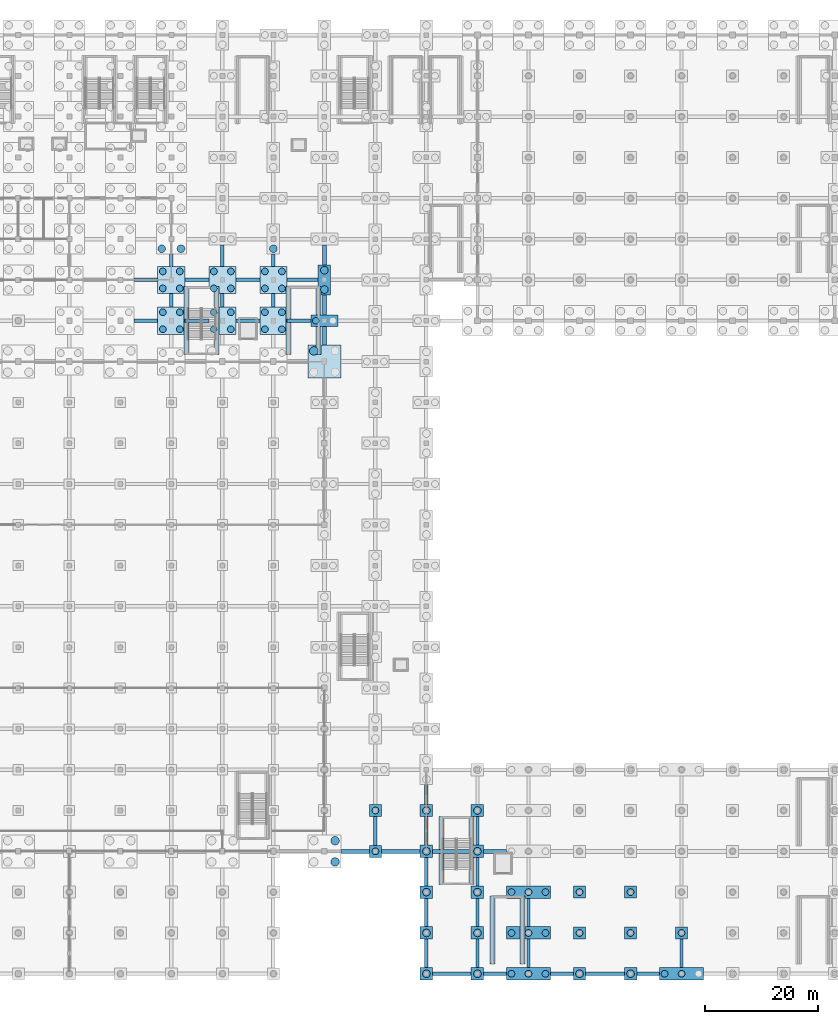
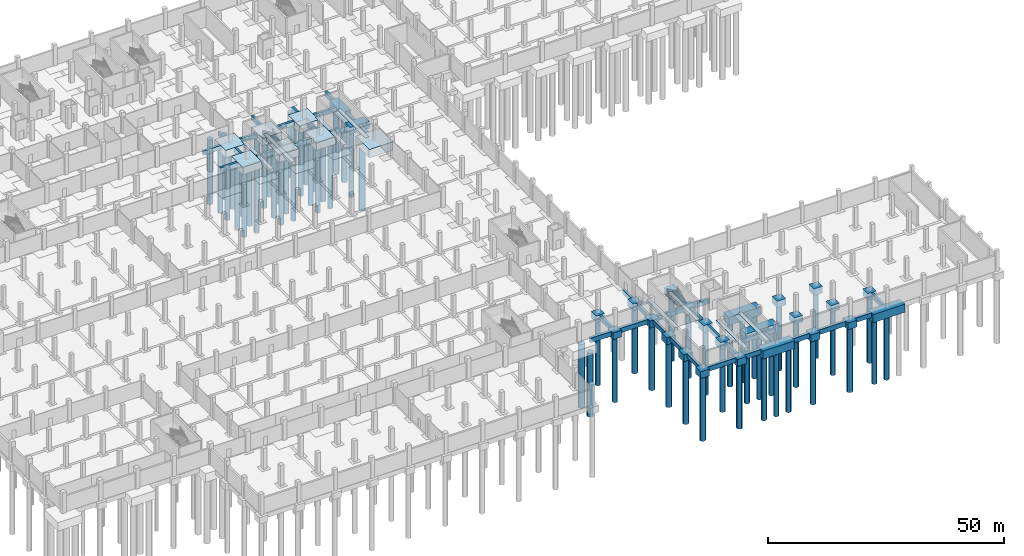
# One storey, part 6 of 39: 79 footings, 63 piles.
"""IFC4 building model written with IfcOpenShell, lengths in metres."""

from ifc_helpers import new_model, si_unit, direction, frame, origin, origin_2d, place, context, subcontext, project, spatial, rectangle, circle, extrude, material, material_profile, profile_set, type_object, element, save


model = new_model("IFC4")

# Units and contexts
model_context = context("Model", 3, precision=1e-05, world=origin(), true_north=direction((0.0, 1.0)))
body_context = subcontext(model_context, "Body", "Model", "MODEL_VIEW")
ifc_project = project(units=[si_unit("LENGTHUNIT", "METRE"), si_unit("AREAUNIT", "SQUARE_METRE"), si_unit("VOLUMEUNIT", "CUBIC_METRE"), si_unit("PLANEANGLEUNIT", "RADIAN"), si_unit("MASSUNIT", "GRAM", prefix="KILO")], contexts=[model_context])

# Site, building, storey
site_placement = place(None, origin())
site = spatial("IfcSite", under=ifc_project, at=site_placement, CompositionType="ELEMENT")
building_placement = place(site_placement, origin())
building = spatial("IfcBuilding", under=site, at=building_placement, Name="Celestram Park Convention Centre", CompositionType="ELEMENT")
storey_placement = place(building_placement, frame((0.0, 0.0, -5.39990234375)))
storey = spatial("IfcBuildingStorey", under=building, at=storey_placement, Name="B1", CompositionType="ELEMENT", Elevation=-5.39990234375)

# Footings
ifc_material_1 = material(Name="Concrete C40/50", Category="concrete")
footing_type_1 = type_object("IfcFootingType", Name="STR-CAP-PC2", PredefinedType="PILE_CAP", material=ifc_material_1)
for number, where, z_axis, x_axis, name in (
    (1, (135.0, 21.60009765625, -1.7001953125), (0.0, 0.0, 1.0), (1.0, 0.0, 0.0), "Caisson cap PC-02 at (135.0, 21.6)"),
    (2, (135.0, 28.800048828125, -1.7001953125), (0.0, 0.0, 1.0), (1.0, 0.0, 0.0), "Caisson cap PC-02 at (135.0, 28.8)"),
    (3, (171.0, 7.199951171875, -1.7001953125), (0.0, 0.0, 1.0), (1.0, 0.0, 0.0), "Caisson cap PC-02 at (171.0, 7.2)"),
    (4, (171.0, 14.39990234375, -1.7001953125), (0.0, 0.0, 1.0), (1.0, 0.0, 0.0), "Caisson cap PC-02 at (171.0, 14.4)"),
    (5, (180.0, 7.199951171875, -1.7001953125), (0.0, 0.0, 1.0), (1.0, 0.0, 0.0), "Caisson cap PC-02 at (180.0, 7.2)"),
    (6, (180.0, 14.39990234375, -1.7001953125), (0.0, 0.0, 1.0), (1.0, 0.0, 0.0), "Caisson cap PC-02 at (180.0, 14.4)"),
    (7, (189.0, 7.199951171875, -1.7001953125), (0.0, 0.0, 1.0), (1.0, 0.0, 0.0), "Caisson cap PC-02 at (189.0, 7.2)"),
):
    element("IfcFooting", number, at=place(storey_placement, frame(where, z_axis=z_axis, x_axis=x_axis)), inside=storey, type_object=footing_type_1, Name=name, PredefinedType="PILE_CAP", context=body_context, shape_type="SweptSolid", body=[
        extrude(rectangle(XDim=2.10009765625, YDim=2.10009765625, at=origin_2d()), origin(), (0.0, 0.0, 1.0), 1.699951171875),
    ])
footing_type_2 = type_object("IfcFootingType", Name="STR-CAP-PC3", PredefinedType="PILE_CAP", material=ifc_material_1)
for number, where, z_axis, x_axis, name in (
    (8, (144.0, 0.0, -1.80029296875), (0.0, 0.0, 1.0), (1.0, 0.0, 0.0), "Caisson cap PC-03 at (144.0, 0.0)"),
    (9, (144.0, 7.199951171875, -1.80029296875), (0.0, 0.0, 1.0), (1.0, 0.0, 0.0), "Caisson cap PC-03 at (144.0, 7.2)"),
    (10, (144.0, 14.39990234375, -1.80029296875), (0.0, 0.0, 1.0), (1.0, 0.0, 0.0), "Caisson cap PC-03 at (144.0, 14.4)"),
    (11, (144.0, 21.60009765625, -1.80029296875), (0.0, 0.0, 1.0), (1.0, 0.0, 0.0), "Caisson cap PC-03 at (144.0, 21.6)"),
    (12, (144.0, 28.800048828125, -1.80029296875), (0.0, 0.0, 1.0), (1.0, 0.0, 0.0), "Caisson cap PC-03 at (144.0, 28.8)"),
    (13, (153.0, 0.0, -1.80029296875), (0.0, 0.0, 1.0), (1.0, 0.0, 0.0), "Caisson cap PC-03 at (153.0, 0.0)"),
    (14, (153.0, 7.199951171875, -1.80029296875), (0.0, 0.0, 1.0), (1.0, 0.0, 0.0), "Caisson cap PC-03 at (153.0, 7.2)"),
    (15, (153.0, 14.39990234375, -1.80029296875), (0.0, 0.0, 1.0), (1.0, 0.0, 0.0), "Caisson cap PC-03 at (153.0, 14.4)"),
    (16, (153.0, 21.60009765625, -1.80029296875), (0.0, 0.0, 1.0), (1.0, 0.0, 0.0), "Caisson cap PC-03 at (153.0, 21.6)"),
    (17, (153.0, 28.800048828125, -1.80029296875), (0.0, 0.0, 1.0), (1.0, 0.0, 0.0), "Caisson cap PC-03 at (153.0, 28.8)"),
    (18, (171.0, 0.0, -1.80029296875), (0.0, 0.0, 1.0), (1.0, 0.0, 0.0), "Caisson cap PC-03 at (171.0, 0.0)"),
    (19, (180.0, 0.0, -1.80029296875), (0.0, 0.0, 1.0), (1.0, 0.0, 0.0), "Caisson cap PC-03 at (180.0, 0.0)"),
):
    element("IfcFooting", number, at=place(storey_placement, frame(where, z_axis=z_axis, x_axis=x_axis)), inside=storey, type_object=footing_type_2, Name=name, PredefinedType="PILE_CAP", context=body_context, shape_type="SweptSolid", body=[
        extrude(rectangle(XDim=2.199951171875, YDim=2.199951171875, at=origin_2d()), origin(), (0.0, 0.0, 1.0), 1.800048828125),
    ])
footing_type_3 = type_object("IfcFootingType", Name="STR-CAP-PC4", PredefinedType="PILE_CAP", material=ifc_material_1)
footing_1_placement = place(storey_placement, frame((126.0, 115.199951171875, -1.80029296875), z_axis=(0.0, 0.0, 1.0), x_axis=(1.0, 0.0, 0.0)))
element("IfcFooting", 20, at=footing_1_placement, inside=storey, type_object=footing_type_3, Name="Caisson cap PC-04 at (126.0, 115.2)", PredefinedType="PILE_CAP", context=body_context, shape_type="SweptSolid", body=[
    extrude(rectangle(XDim=4.800048828125, YDim=2.10009765625, at=origin_2d()), origin(), (0.0, 0.0, 1.0), 1.800048828125),
])
footing_type_4 = type_object("IfcFootingType", Name="STR-CAP-PC5", PredefinedType="PILE_CAP", material=ifc_material_1)
footing_2_placement = place(storey_placement, frame((126.0, 122.39990234375, -1.900146484375), z_axis=(0.0, 0.0, 1.0), x_axis=(1.0, 0.0, 0.0)))
element("IfcFooting", 21, at=footing_2_placement, inside=storey, type_object=footing_type_4, Name="Caisson cap PC-05 at (126.0, 122.4)", PredefinedType="PILE_CAP", context=body_context, shape_type="SweptSolid", body=[
    extrude(rectangle(XDim=2.199951171875, YDim=5.300048828125, at=origin_2d()), origin(), (0.0, 0.0, 1.0), 1.89990234375),
])
footing_type_5 = type_object("IfcFootingType", Name="STR-CAP-PC6", PredefinedType="PILE_CAP", material=ifc_material_1)
for number, where, z_axis, x_axis, name in (
    (22, (99.0, 115.199951171875, -1.900146484375), (0.0, 0.0, 1.0), (1.0, 0.0, 0.0), "Caisson cap PC-06 at (99.0, 115.2)"),
    (23, (99.0, 122.39990234375, -1.900146484375), (0.0, 0.0, 1.0), (1.0, 0.0, 0.0), "Caisson cap PC-06 at (99.0, 122.4)"),
    (24, (108.0, 115.199951171875, -1.900146484375), (0.0, 0.0, 1.0), (1.0, 0.0, 0.0), "Caisson cap PC-06 at (108.0, 115.2)"),
    (25, (108.0, 122.39990234375, -1.900146484375), (0.0, 0.0, 1.0), (1.0, 0.0, 0.0), "Caisson cap PC-06 at (108.0, 122.4)"),
    (26, (117.0, 115.199951171875, -1.900146484375), (0.0, 0.0, 1.0), (1.0, 0.0, 0.0), "Caisson cap PC-06 at (117.0, 115.2)"),
    (27, (117.0, 122.39990234375, -1.900146484375), (0.0, 0.0, 1.0), (1.0, 0.0, 0.0), "Caisson cap PC-06 at (117.0, 122.4)"),
):
    element("IfcFooting", number, at=place(storey_placement, frame(where, z_axis=z_axis, x_axis=x_axis)), inside=storey, type_object=footing_type_5, Name=name, PredefinedType="PILE_CAP", context=body_context, shape_type="SweptSolid", body=[
        extrude(rectangle(XDim=4.800048828125, YDim=4.800048828125, at=origin_2d()), origin(), (0.0, 0.0, 1.0), 1.89990234375),
    ])
footing_type_6 = type_object("IfcFootingType", Name="STR-CAP-PC8", PredefinedType="PILE_CAP", material=ifc_material_1)
footing_3_placement = place(storey_placement, frame((126.0, 108.0, -2.2001953125), z_axis=(0.0, 0.0, 1.0), x_axis=(1.0, 0.0, 0.0)))
element("IfcFooting", 28, at=footing_3_placement, inside=storey, type_object=footing_type_6, Name="Caisson cap PC-08 at (126.0, 108.0)", PredefinedType="PILE_CAP", context=body_context, shape_type="SweptSolid", body=[
    extrude(rectangle(XDim=5.800048828125, YDim=5.800048828125, at=origin_2d()), origin(), (0.0, 0.0, 1.0), 2.199951171875),
])
footing_type_7 = type_object("IfcFootingType", Name="STR-CAP-PC9", PredefinedType="PILE_CAP", material=ifc_material_1)
for number, where, z_axis, x_axis, name in (
    (29, (162.0, 0.0, -2.10009765625), (0.0, 0.0, 1.0), (1.0, 0.0, 0.0), "Caisson cap PC-09 at (162.0, 0.0)"),
    (30, (162.0, 7.199951171875, -2.10009765625), (0.0, 0.0, 1.0), (1.0, 0.0, 0.0), "Caisson cap PC-09 at (162.0, 7.2)"),
    (31, (162.0, 14.39990234375, -2.10009765625), (0.0, 0.0, 1.0), (1.0, 0.0, 0.0), "Caisson cap PC-09 at (162.0, 14.4)"),
    (32, (189.0, 0.0, -2.10009765625), (0.0, 0.0, 1.0), (1.0, 0.0, 0.0), "Caisson cap PC-09 at (189.0, 0.0)"),
):
    element("IfcFooting", number, at=place(storey_placement, frame(where, z_axis=z_axis, x_axis=x_axis)), inside=storey, type_object=footing_type_7, Name=name, PredefinedType="PILE_CAP", context=body_context, shape_type="SweptSolid", body=[
        extrude(rectangle(XDim=7.800048828125, YDim=2.199951171875, at=origin_2d()), origin(), (0.0, 0.0, 1.0), 2.10009765625),
    ])
ifc_material_2 = material(Name="Concrete C35/45", Category="concrete")
footing_type_8 = type_object("IfcFootingType", Name="STR-FTG-GB01", PredefinedType="FOOTING_BEAM", material=ifc_material_2)
footing_4_placement = place(storey_placement, frame((131.425048828125, 21.60009765625, -1.2001953125), z_axis=(0.0, 0.0, 1.0), x_axis=(1.0, 0.0, 0.0)))
element("IfcFooting", 33, at=footing_4_placement, inside=storey, type_object=footing_type_8, Name="Grade tie beam GB-B1-346", PredefinedType="FOOTING_BEAM", context=body_context, shape_type="SweptSolid", body=[
    extrude(rectangle(XDim=5.050048828125, YDim=0.699951171875, at=origin_2d()), origin(), (0.0, 0.0, 1.0), 1.199951171875),
])
footing_type_9 = type_object("IfcFootingType", Name="STR-FTG-GB02", PredefinedType="FOOTING_BEAM", material=ifc_material_2)
footing_5_placement = place(storey_placement, frame((126.0, 112.52490234375, -1.2001953125), z_axis=(0.0, 0.0, 1.0), x_axis=(0.0, 1.0, 0.0)))
element("IfcFooting", 34, at=footing_5_placement, inside=storey, type_object=footing_type_9, Name="Grade tie beam GB-B1-364", PredefinedType="FOOTING_BEAM", context=body_context, shape_type="SweptSolid", body=[
    extrude(rectangle(XDim=3.25, YDim=0.699951171875, at=origin_2d()), origin(), (0.0, 0.0, 1.0), 1.199951171875),
])
footing_type_10 = type_object("IfcFootingType", Name="STR-FTG-GB09", PredefinedType="FOOTING_BEAM", material=ifc_material_2)
footing_6_placement = place(storey_placement, frame((135.0, 25.199951171875, -1.10009765625), z_axis=(0.0, 0.0, 1.0), x_axis=(0.0, 1.0, 0.0)))
element("IfcFooting", 35, at=footing_6_placement, inside=storey, type_object=footing_type_10, Name="Grade tie beam GB-B1-379", PredefinedType="FOOTING_BEAM", context=body_context, shape_type="SweptSolid", body=[
    extrude(rectangle(XDim=5.10009765625, YDim=0.60009765625, at=origin_2d()), origin(), (0.0, 0.0, 1.0), 1.10009765625),
])
footing_type_11 = type_object("IfcFootingType", Name="STR-FTG-GB28", PredefinedType="FOOTING_BEAM", material=ifc_material_2)
for number, where, z_axis, x_axis, name in (
    (36, (99.0, 118.800048828125, -1.10009765625), (0.0, 0.0, 1.0), (0.0, 1.0, 0.0), "Grade tie beam GB-B1-263"),
    (37, (108.0, 118.800048828125, -1.10009765625), (0.0, 0.0, 1.0), (0.0, 1.0, 0.0), "Grade tie beam GB-B1-299"),
    (38, (117.0, 118.800048828125, -1.10009765625), (0.0, 0.0, 1.0), (0.0, 1.0, 0.0), "Grade tie beam GB-B1-334"),
):
    element("IfcFooting", number, at=place(storey_placement, frame(where, z_axis=z_axis, x_axis=x_axis)), inside=storey, type_object=footing_type_11, Name=name, PredefinedType="FOOTING_BEAM", context=body_context, shape_type="SweptSolid", body=[
        extrude(rectangle(XDim=2.39990234375, YDim=0.60009765625, at=origin_2d()), origin(), (0.0, 0.0, 1.0), 1.10009765625),
    ])
footing_type_12 = type_object("IfcFootingType", Name="STR-FTG-GB29", PredefinedType="FOOTING_BEAM", material=ifc_material_2)
for number, where, z_axis, x_axis, name in (
    (39, (94.5, 115.199951171875, -1.10009765625), (0.0, 0.0, 1.0), (1.0, 0.0, 0.0), "Grade tie beam GB-B1-233"),
    (40, (94.5, 122.39990234375, -1.10009765625), (0.0, 0.0, 1.0), (1.0, 0.0, 0.0), "Grade tie beam GB-B1-234"),
    (41, (103.5, 115.199951171875, -1.10009765625), (0.0, 0.0, 1.0), (1.0, 0.0, 0.0), "Grade tie beam GB-B1-262"),
    (42, (103.5, 122.39990234375, -1.10009765625), (0.0, 0.0, 1.0), (1.0, 0.0, 0.0), "Grade tie beam GB-B1-264"),
    (43, (112.5, 115.199951171875, -1.10009765625), (0.0, 0.0, 1.0), (1.0, 0.0, 0.0), "Grade tie beam GB-B1-298"),
    (44, (112.5, 122.39990234375, -1.10009765625), (0.0, 0.0, 1.0), (1.0, 0.0, 0.0), "Grade tie beam GB-B1-300"),
    (45, (121.5, 115.199951171875, -1.10009765625), (0.0, 0.0, 1.0), (1.0, 0.0, 0.0), "Grade tie beam GB-B1-333"),
):
    element("IfcFooting", number, at=place(storey_placement, frame(where, z_axis=z_axis, x_axis=x_axis)), inside=storey, type_object=footing_type_12, Name=name, PredefinedType="FOOTING_BEAM", context=body_context, shape_type="SweptSolid", body=[
        extrude(rectangle(XDim=4.199951171875, YDim=0.60009765625, at=origin_2d()), origin(), (0.0, 0.0, 1.0), 1.10009765625),
    ])
footing_type_13 = type_object("IfcFootingType", Name="STR-FTG-GB30", PredefinedType="FOOTING_BEAM", material=ifc_material_2)
for number, where, z_axis, x_axis, name in (
    (46, (99.0, 125.875, -1.10009765625), (0.0, 0.0, 1.0), (0.0, 1.0, 0.0), "Grade tie beam GB-B1-265"),
    (47, (117.0, 125.875, -1.10009765625), (0.0, 0.0, 1.0), (0.0, 1.0, 0.0), "Grade tie beam GB-B1-336"),
):
    element("IfcFooting", number, at=place(storey_placement, frame(where, z_axis=z_axis, x_axis=x_axis)), inside=storey, type_object=footing_type_13, Name=name, PredefinedType="FOOTING_BEAM", context=body_context, shape_type="SweptSolid", body=[
        extrude(rectangle(XDim=2.14990234375, YDim=0.60009765625, at=origin_2d()), origin(), (0.0, 0.0, 1.0), 1.10009765625),
    ])
footing_type_14 = type_object("IfcFootingType", Name="STR-FTG-GB32", PredefinedType="FOOTING_BEAM", material=ifc_material_2)
footing_7_placement = place(storey_placement, frame((108.0, 126.675048828125, -1.10009765625), z_axis=(0.0, 0.0, 1.0), x_axis=(0.0, 1.0, 0.0)))
element("IfcFooting", 48, at=footing_7_placement, inside=storey, type_object=footing_type_14, Name="Grade tie beam GB-B1-301", PredefinedType="FOOTING_BEAM", context=body_context, shape_type="SweptSolid", body=[
    extrude(rectangle(XDim=3.75, YDim=0.60009765625, at=origin_2d()), origin(), (0.0, 0.0, 1.0), 1.10009765625),
])
footing_type_15 = type_object("IfcFootingType", Name="STR-FTG-GB33", PredefinedType="FOOTING_BEAM", material=ifc_material_2)
footing_8_placement = place(storey_placement, frame((122.14990234375, 122.39990234375, -1.10009765625), z_axis=(0.0, 0.0, 1.0), x_axis=(1.0, 0.0, 0.0)))
element("IfcFooting", 49, at=footing_8_placement, inside=storey, type_object=footing_type_15, Name="Grade tie beam GB-B1-335", PredefinedType="FOOTING_BEAM", context=body_context, shape_type="SweptSolid", body=[
    extrude(rectangle(XDim=5.5, YDim=0.60009765625, at=origin_2d()), origin(), (0.0, 0.0, 1.0), 1.10009765625),
])
footing_type_16 = type_object("IfcFootingType", Name="STR-FTG-GB39", PredefinedType="FOOTING_BEAM", material=ifc_material_2)
for number, where, z_axis, x_axis, name in (
    (50, (126.0, 118.0, -1.2001953125), (0.0, 0.0, 1.0), (0.0, 1.0, 0.0), "Grade tie beam GB-B1-366"),
    (51, (126.0, 126.800048828125, -1.2001953125), (0.0, 0.0, 1.0), (0.0, 1.0, 0.0), "Grade tie beam GB-B1-368"),
):
    element("IfcFooting", number, at=place(storey_placement, frame(where, z_axis=z_axis, x_axis=x_axis)), inside=storey, type_object=footing_type_16, Name=name, PredefinedType="FOOTING_BEAM", context=body_context, shape_type="SweptSolid", body=[
        extrude(rectangle(XDim=3.5, YDim=0.699951171875, at=origin_2d()), origin(), (0.0, 0.0, 1.0), 1.199951171875),
    ])
footing_type_17 = type_object("IfcFootingType", Name="STR-FTG-GB40", PredefinedType="FOOTING_BEAM", material=ifc_material_2)
footing_9_placement = place(storey_placement, frame((139.47509765625, 21.60009765625, -1.2001953125), z_axis=(0.0, 0.0, 1.0), x_axis=(1.0, 0.0, 0.0)))
element("IfcFooting", 52, at=footing_9_placement, inside=storey, type_object=footing_type_17, Name="Grade tie beam GB-B1-378", PredefinedType="FOOTING_BEAM", context=body_context, shape_type="SweptSolid", body=[
    extrude(rectangle(XDim=6.85009765625, YDim=0.699951171875, at=origin_2d()), origin(), (0.0, 0.0, 1.0), 1.199951171875),
])
footing_type_18 = type_object("IfcFootingType", Name="STR-FTG-GB41", PredefinedType="FOOTING_BEAM", material=ifc_material_2)
for number, where, z_axis, x_axis, name in (
    (53, (148.5, 0.0, -1.2001953125), (0.0, 0.0, 1.0), (1.0, 0.0, 0.0), "Grade tie beam GB-B1-410"),
    (54, (148.5, 21.60009765625, -1.2001953125), (0.0, 0.0, 1.0), (1.0, 0.0, 0.0), "Grade tie beam GB-B1-414"),
    (55, (175.5, 0.0, -1.2001953125), (0.0, 0.0, 1.0), (1.0, 0.0, 0.0), "Grade tie beam GB-B1-484"),
):
    element("IfcFooting", number, at=place(storey_placement, frame(where, z_axis=z_axis, x_axis=x_axis)), inside=storey, type_object=footing_type_18, Name=name, PredefinedType="FOOTING_BEAM", context=body_context, shape_type="SweptSolid", body=[
        extrude(rectangle(XDim=6.800048828125, YDim=0.699951171875, at=origin_2d()), origin(), (0.0, 0.0, 1.0), 1.199951171875),
    ])
footing_type_19 = type_object("IfcFootingType", Name="STR-FTG-GB42", PredefinedType="FOOTING_BEAM", material=ifc_material_2)
for number, where, z_axis, x_axis, name in (
    (56, (144.0, 3.60009765625, -1.10009765625), (0.0, 0.0, 1.0), (0.0, 1.0, 0.0), "Grade tie beam GB-B1-411"),
    (57, (144.0, 10.800048828125, -1.10009765625), (0.0, 0.0, 1.0), (0.0, 1.0, 0.0), "Grade tie beam GB-B1-412"),
    (58, (144.0, 18.0, -1.10009765625), (0.0, 0.0, 1.0), (0.0, 1.0, 0.0), "Grade tie beam GB-B1-413"),
    (59, (144.0, 25.199951171875, -1.10009765625), (0.0, 0.0, 1.0), (0.0, 1.0, 0.0), "Grade tie beam GB-B1-415"),
    (60, (153.0, 3.60009765625, -1.10009765625), (0.0, 0.0, 1.0), (0.0, 1.0, 0.0), "Grade tie beam GB-B1-443"),
    (61, (153.0, 10.800048828125, -1.10009765625), (0.0, 0.0, 1.0), (0.0, 1.0, 0.0), "Grade tie beam GB-B1-444"),
    (62, (153.0, 18.0, -1.10009765625), (0.0, 0.0, 1.0), (0.0, 1.0, 0.0), "Grade tie beam GB-B1-445"),
    (63, (153.0, 25.199951171875, -1.10009765625), (0.0, 0.0, 1.0), (0.0, 1.0, 0.0), "Grade tie beam GB-B1-447"),
    (64, (162.0, 3.60009765625, -1.10009765625), (0.0, 0.0, 1.0), (0.0, 1.0, 0.0), "Grade tie beam GB-B1-464"),
    (65, (162.0, 10.800048828125, -1.10009765625), (0.0, 0.0, 1.0), (0.0, 1.0, 0.0), "Grade tie beam GB-B1-465"),
):
    element("IfcFooting", number, at=place(storey_placement, frame(where, z_axis=z_axis, x_axis=x_axis)), inside=storey, type_object=footing_type_19, Name=name, PredefinedType="FOOTING_BEAM", context=body_context, shape_type="SweptSolid", body=[
        extrude(rectangle(XDim=5.0, YDim=0.60009765625, at=origin_2d()), origin(), (0.0, 0.0, 1.0), 1.10009765625),
    ])
footing_type_20 = type_object("IfcFootingType", Name="STR-FTG-GB43", PredefinedType="FOOTING_BEAM", material=ifc_material_2)
footing_10_placement = place(storey_placement, frame((144.0, 31.625, -1.10009765625), z_axis=(0.0, 0.0, 1.0), x_axis=(0.0, 1.0, 0.0)))
element("IfcFooting", 66, at=footing_10_placement, inside=storey, type_object=footing_type_20, Name="Grade tie beam GB-B1-416", PredefinedType="FOOTING_BEAM", context=body_context, shape_type="SweptSolid", body=[
    extrude(rectangle(XDim=3.449951171875, YDim=0.60009765625, at=origin_2d()), origin(), (0.0, 0.0, 1.0), 1.10009765625),
])
footing_type_21 = type_object("IfcFootingType", Name="STR-FTG-GB44", PredefinedType="FOOTING_BEAM", material=ifc_material_2)
for number, where, z_axis, x_axis, name in (
    (67, (156.10009765625, 0.0, -1.2001953125), (0.0, 0.0, 1.0), (1.0, 0.0, 0.0), "Grade tie beam GB-B1-442"),
    (68, (156.10009765625, 21.60009765625, -1.2001953125), (0.0, 0.0, 1.0), (1.0, 0.0, 0.0), "Grade tie beam GB-B1-446"),
    (69, (167.89990234375, 0.0, -1.2001953125), (0.0, 0.0, 1.0), (1.0, 0.0, 0.0), "Grade tie beam GB-B1-463"),
    (70, (183.10009765625, 0.0, -1.2001953125), (0.0, 0.0, 1.0), (1.0, 0.0, 0.0), "Grade tie beam GB-B1-493"),
):
    element("IfcFooting", number, at=place(storey_placement, frame(where, z_axis=z_axis, x_axis=x_axis)), inside=storey, type_object=footing_type_21, Name=name, PredefinedType="FOOTING_BEAM", context=body_context, shape_type="SweptSolid", body=[
        extrude(rectangle(XDim=4.0, YDim=0.699951171875, at=origin_2d()), origin(), (0.0, 0.0, 1.0), 1.199951171875),
    ])
footing_type_22 = type_object("IfcFootingType", Name="STR-FTG-GB48", PredefinedType="FOOTING_BEAM", material=ifc_material_2)
footing_11_placement = place(storey_placement, frame((189.0, 3.625, -1.10009765625), z_axis=(0.0, 0.0, 1.0), x_axis=(0.0, 1.0, 0.0)))
element("IfcFooting", 71, at=footing_11_placement, inside=storey, type_object=footing_type_22, Name="Grade tie beam GB-B1-503", PredefinedType="FOOTING_BEAM", context=body_context, shape_type="SweptSolid", body=[
    extrude(rectangle(XDim=5.050048828125, YDim=0.60009765625, at=origin_2d()), origin(), (0.0, 0.0, 1.0), 1.10009765625),
])
footing_type_23 = type_object("IfcFootingType", Name="STR-FTG-SF49", PredefinedType="STRIP_FOOTING", material=ifc_material_2)
for number, where, z_axis, x_axis, name in (
    (72, (101.64990234375, 115.264892578125, -0.75), (0.0, 0.0, 1.0), (0.0, 1.0, 0.0), "Core C3 strip footing"),
    (73, (106.989990234375, 115.264892578125, -0.75), (0.0, 0.0, 1.0), (0.0, 1.0, 0.0), "Core C3 strip footing"),
):
    element("IfcFooting", number, at=place(storey_placement, frame(where, z_axis=z_axis, x_axis=x_axis)), inside=storey, type_object=footing_type_23, Name=name, PredefinedType="STRIP_FOOTING", context=body_context, shape_type="SweptSolid", body=[
        extrude(rectangle(XDim=12.030029296875, YDim=0.89990234375, at=origin_2d()), origin(), (0.0, 0.0, 1.0), 0.75),
    ])
footing_type_24 = type_object("IfcFootingType", Name="STR-FTG-SF50", PredefinedType="STRIP_FOOTING", material=ifc_material_2)
for number, where, z_axis, x_axis, name in (
    (74, (146.669921875, 21.7451171875, -0.75), (0.0, 0.0, 1.0), (0.0, 1.0, 0.0), "Core C6 strip footing"),
    (75, (151.969970703125, 21.7451171875, -0.75), (0.0, 0.0, 1.0), (0.0, 1.0, 0.0), "Core C6 strip footing"),
    (76, (119.669921875, 115.2451171875, -0.75), (0.0, 0.0, 1.0), (0.0, 1.0, 0.0), "Core S20 strip footing"),
    (77, (124.969970703125, 115.2451171875, -0.75), (0.0, 0.0, 1.0), (0.0, 1.0, 0.0), "Core S20 strip footing"),
    (78, (155.669921875, 7.7451171875, -0.75), (0.0, 0.0, 1.0), (0.0, 1.0, 0.0), "Core S21 strip footing"),
    (79, (160.969970703125, 7.7451171875, -0.75), (0.0, 0.0, 1.0), (0.0, 1.0, 0.0), "Core S21 strip footing"),
):
    element("IfcFooting", number, at=place(storey_placement, frame(where, z_axis=z_axis, x_axis=x_axis)), inside=storey, type_object=footing_type_24, Name=name, PredefinedType="STRIP_FOOTING", context=body_context, shape_type="SweptSolid", body=[
        extrude(rectangle(XDim=11.989990234375, YDim=0.89990234375, at=origin_2d()), origin(), (0.0, 0.0, 1.0), 0.75),
    ])

# Piles
ifc_material_profile_1 = material_profile(ifc_material_1, circle(Radius=0.60009765625, at=origin_2d()), Name="CAISSON1200")
ifc_profile_set_1 = profile_set([ifc_material_profile_1], Name="Concrete C40/50")
pile_type_1 = type_object("IfcPileType", Name="STR-PIL-C1200", PredefinedType="BORED", material=ifc_profile_set_1)
for number, where, z_axis, x_axis, name in (
    (80, (97.5, 113.699951171875, -1.800048828125), (0.0, 0.0, -1.0), (1.0, 0.0, 0.0), "Bored caisson PC-B1-467"),
    (81, (100.5, 113.699951171875, -1.800048828125), (0.0, 0.0, -1.0), (1.0, 0.0, 0.0), "Bored caisson PC-B1-468"),
    (82, (97.5, 116.699951171875, -1.800048828125), (0.0, 0.0, -1.0), (1.0, 0.0, 0.0), "Bored caisson PC-B1-469"),
    (83, (100.5, 116.699951171875, -1.800048828125), (0.0, 0.0, -1.0), (1.0, 0.0, 0.0), "Bored caisson PC-B1-470"),
    (84, (97.5, 120.89990234375, -1.800048828125), (0.0, 0.0, -1.0), (1.0, 0.0, 0.0), "Bored caisson PC-B1-471"),
    (85, (100.5, 120.89990234375, -1.800048828125), (0.0, 0.0, -1.0), (1.0, 0.0, 0.0), "Bored caisson PC-B1-472"),
    (86, (97.5, 123.89990234375, -1.800048828125), (0.0, 0.0, -1.0), (1.0, 0.0, 0.0), "Bored caisson PC-B1-473"),
    (87, (100.5, 123.89990234375, -1.800048828125), (0.0, 0.0, -1.0), (1.0, 0.0, 0.0), "Bored caisson PC-B1-474"),
    (88, (106.5, 113.699951171875, -1.800048828125), (0.0, 0.0, -1.0), (1.0, 0.0, 0.0), "Bored caisson PC-B1-521"),
    (89, (109.5, 113.699951171875, -1.800048828125), (0.0, 0.0, -1.0), (1.0, 0.0, 0.0), "Bored caisson PC-B1-522"),
    (90, (106.5, 116.699951171875, -1.800048828125), (0.0, 0.0, -1.0), (1.0, 0.0, 0.0), "Bored caisson PC-B1-523"),
    (91, (109.5, 116.699951171875, -1.800048828125), (0.0, 0.0, -1.0), (1.0, 0.0, 0.0), "Bored caisson PC-B1-524"),
    (92, (106.5, 120.89990234375, -1.800048828125), (0.0, 0.0, -1.0), (1.0, 0.0, 0.0), "Bored caisson PC-B1-525"),
    (93, (109.5, 120.89990234375, -1.800048828125), (0.0, 0.0, -1.0), (1.0, 0.0, 0.0), "Bored caisson PC-B1-526"),
    (94, (106.5, 123.89990234375, -1.800048828125), (0.0, 0.0, -1.0), (1.0, 0.0, 0.0), "Bored caisson PC-B1-527"),
    (95, (109.5, 123.89990234375, -1.800048828125), (0.0, 0.0, -1.0), (1.0, 0.0, 0.0), "Bored caisson PC-B1-528"),
    (96, (115.5, 113.699951171875, -1.800048828125), (0.0, 0.0, -1.0), (1.0, 0.0, 0.0), "Bored caisson PC-B1-560"),
    (97, (118.5, 113.699951171875, -1.800048828125), (0.0, 0.0, -1.0), (1.0, 0.0, 0.0), "Bored caisson PC-B1-561"),
    (98, (115.5, 116.699951171875, -1.800048828125), (0.0, 0.0, -1.0), (1.0, 0.0, 0.0), "Bored caisson PC-B1-562"),
    (99, (118.5, 116.699951171875, -1.800048828125), (0.0, 0.0, -1.0), (1.0, 0.0, 0.0), "Bored caisson PC-B1-563"),
    (100, (115.5, 120.89990234375, -1.800048828125), (0.0, 0.0, -1.0), (1.0, 0.0, 0.0), "Bored caisson PC-B1-564"),
    (101, (118.5, 120.89990234375, -1.800048828125), (0.0, 0.0, -1.0), (1.0, 0.0, 0.0), "Bored caisson PC-B1-565"),
    (102, (115.5, 123.89990234375, -1.800048828125), (0.0, 0.0, -1.0), (1.0, 0.0, 0.0), "Bored caisson PC-B1-566"),
    (103, (118.5, 123.89990234375, -1.800048828125), (0.0, 0.0, -1.0), (1.0, 0.0, 0.0), "Bored caisson PC-B1-567"),
):
    element("IfcPile", number, at=place(storey_placement, frame(where, z_axis=z_axis, x_axis=x_axis)), inside=storey, type_object=pile_type_1, Name=name, PredefinedType="BORED", context=body_context, shape_type="SweptSolid", body=[
        extrude(circle(Radius=0.60009765625, at=origin_2d()), origin(), (0.0, 0.0, 1.0), 16.800048828125),
    ])
pile_1_placement = place(storey_placement, frame((124.5, 115.199951171875, -1.7001953125), z_axis=(0.0, 0.0, -1.0), x_axis=(1.0, 0.0, 0.0)))
element("IfcPile", 104, at=pile_1_placement, inside=storey, type_object=pile_type_1, Name="Bored caisson PC-B1-607", PredefinedType="BORED", context=body_context, shape_type="SweptSolid", body=[
    extrude(circle(Radius=0.60009765625, at=origin_2d()), origin(), (0.0, 0.0, 1.0), 16.89990234375),
])
for number, where, z_axis, x_axis, name in (
    (105, (135.0, 21.60009765625, -1.60009765625), (0.0, 0.0, -1.0), (1.0, 0.0, 0.0), "Bored caisson PC-B1-623"),
    (106, (135.0, 28.800048828125, -1.60009765625), (0.0, 0.0, -1.0), (1.0, 0.0, 0.0), "Bored caisson PC-B1-624"),
):
    element("IfcPile", number, at=place(storey_placement, frame(where, z_axis=z_axis, x_axis=x_axis)), inside=storey, type_object=pile_type_1, Name=name, PredefinedType="BORED", context=body_context, shape_type="SweptSolid", body=[
        extrude(circle(Radius=0.60009765625, at=origin_2d()), origin(), (0.0, 0.0, 1.0), 17.0),
    ])
for number, where, z_axis, x_axis, name in (
    (107, (159.0, 0.0, -2.0), (0.0, 0.0, -1.0), (1.0, 0.0, 0.0), "Bored caisson PC-B1-732"),
    (108, (162.0, 0.0, -2.0), (0.0, 0.0, -1.0), (1.0, 0.0, 0.0), "Bored caisson PC-B1-733"),
    (109, (165.0, 0.0, -2.0), (0.0, 0.0, -1.0), (1.0, 0.0, 0.0), "Bored caisson PC-B1-734"),
    (110, (159.0, 7.199951171875, -2.0), (0.0, 0.0, -1.0), (1.0, 0.0, 0.0), "Bored caisson PC-B1-735"),
    (111, (162.0, 7.199951171875, -2.0), (0.0, 0.0, -1.0), (1.0, 0.0, 0.0), "Bored caisson PC-B1-736"),
    (112, (165.0, 7.199951171875, -2.0), (0.0, 0.0, -1.0), (1.0, 0.0, 0.0), "Bored caisson PC-B1-737"),
    (113, (159.0, 14.39990234375, -2.0), (0.0, 0.0, -1.0), (1.0, 0.0, 0.0), "Bored caisson PC-B1-738"),
    (114, (162.0, 14.39990234375, -2.0), (0.0, 0.0, -1.0), (1.0, 0.0, 0.0), "Bored caisson PC-B1-739"),
    (115, (165.0, 14.39990234375, -2.0), (0.0, 0.0, -1.0), (1.0, 0.0, 0.0), "Bored caisson PC-B1-740"),
):
    element("IfcPile", number, at=place(storey_placement, frame(where, z_axis=z_axis, x_axis=x_axis)), inside=storey, type_object=pile_type_1, Name=name, PredefinedType="BORED", context=body_context, shape_type="SweptSolid", body=[
        extrude(circle(Radius=0.60009765625, at=origin_2d()), origin(), (0.0, 0.0, 1.0), 16.60009765625),
    ])
for number, where, z_axis, x_axis, name in (
    (116, (171.0, 7.199951171875, -1.60009765625), (0.0, 0.0, -1.0), (1.0, 0.0, 0.0), "Bored caisson PC-B1-765"),
    (117, (171.0, 14.39990234375, -1.60009765625), (0.0, 0.0, -1.0), (1.0, 0.0, 0.0), "Bored caisson PC-B1-766"),
    (118, (180.0, 7.199951171875, -1.60009765625), (0.0, 0.0, -1.0), (1.0, 0.0, 0.0), "Bored caisson PC-B1-785"),
    (119, (180.0, 14.39990234375, -1.60009765625), (0.0, 0.0, -1.0), (1.0, 0.0, 0.0), "Bored caisson PC-B1-786"),
):
    element("IfcPile", number, at=place(storey_placement, frame(where, z_axis=z_axis, x_axis=x_axis)), inside=storey, type_object=pile_type_1, Name=name, PredefinedType="BORED", context=body_context, shape_type="SweptSolid", body=[
        extrude(circle(Radius=0.60009765625, at=origin_2d()), origin(), (0.0, 0.0, 1.0), 17.0),
    ])
for number, where, z_axis, x_axis, name in (
    (120, (186.0, 0.0, -2.0), (0.0, 0.0, -1.0), (1.0, 0.0, 0.0), "Bored caisson PC-B1-804"),
    (121, (189.0, 0.0, -2.0), (0.0, 0.0, -1.0), (1.0, 0.0, 0.0), "Bored caisson PC-B1-805"),
):
    element("IfcPile", number, at=place(storey_placement, frame(where, z_axis=z_axis, x_axis=x_axis)), inside=storey, type_object=pile_type_1, Name=name, PredefinedType="BORED", context=body_context, shape_type="SweptSolid", body=[
        extrude(circle(Radius=0.60009765625, at=origin_2d()), origin(), (0.0, 0.0, 1.0), 16.60009765625),
    ])
pile_2_placement = place(storey_placement, frame((189.0, 7.199951171875, -1.60009765625), z_axis=(0.0, 0.0, -1.0), x_axis=(1.0, 0.0, 0.0)))
element("IfcPile", 122, at=pile_2_placement, inside=storey, type_object=pile_type_1, Name="Bored caisson PC-B1-807", PredefinedType="BORED", context=body_context, shape_type="SweptSolid", body=[
    extrude(circle(Radius=0.60009765625, at=origin_2d()), origin(), (0.0, 0.0, 1.0), 17.0),
])
ifc_material_profile_2 = material_profile(ifc_material_1, circle(Radius=0.675048828125, at=origin_2d()), Name="CAISSON1350")
ifc_profile_set_2 = profile_set([ifc_material_profile_2], Name="Concrete C40/50")
pile_type_2 = type_object("IfcPileType", Name="STR-PIL-C1350", PredefinedType="BORED", material=ifc_profile_set_2)
for number, where, z_axis, x_axis, name in (
    (123, (97.300048828125, 127.89990234375, -1.900146484375), (0.0, 0.0, -1.0), (1.0, 0.0, 0.0), "Bored caisson PC-B1-475"),
    (124, (100.699951171875, 127.89990234375, -1.900146484375), (0.0, 0.0, -1.0), (1.0, 0.0, 0.0), "Bored caisson PC-B1-476"),
):
    element("IfcPile", number, at=place(storey_placement, frame(where, z_axis=z_axis, x_axis=x_axis)), inside=storey, type_object=pile_type_2, Name=name, PredefinedType="BORED", context=body_context, shape_type="SweptSolid", body=[
        extrude(circle(Radius=0.675048828125, at=origin_2d()), origin(), (0.0, 0.0, 1.0), 16.699951171875),
    ])
for number, where, z_axis, x_axis, name in (
    (125, (117.0, 127.89990234375, -1.800048828125), (0.0, 0.0, -1.0), (1.0, 0.0, 0.0), "Bored caisson PC-B1-568"),
    (126, (126.0, 120.699951171875, -1.800048828125), (0.0, 0.0, -1.0), (1.0, 0.0, 0.0), "Bored caisson PC-B1-609"),
    (127, (126.0, 124.10009765625, -1.800048828125), (0.0, 0.0, -1.0), (1.0, 0.0, 0.0), "Bored caisson PC-B1-610"),
):
    element("IfcPile", number, at=place(storey_placement, frame(where, z_axis=z_axis, x_axis=x_axis)), inside=storey, type_object=pile_type_2, Name=name, PredefinedType="BORED", context=body_context, shape_type="SweptSolid", body=[
        extrude(circle(Radius=0.675048828125, at=origin_2d()), origin(), (0.0, 0.0, 1.0), 16.800048828125),
    ])
for number, where, z_axis, x_axis, name in (
    (128, (144.0, 0.0, -1.7001953125), (0.0, 0.0, -1.0), (1.0, 0.0, 0.0), "Bored caisson PC-B1-663"),
    (129, (144.0, 7.199951171875, -1.7001953125), (0.0, 0.0, -1.0), (1.0, 0.0, 0.0), "Bored caisson PC-B1-664"),
    (130, (144.0, 14.39990234375, -1.7001953125), (0.0, 0.0, -1.0), (1.0, 0.0, 0.0), "Bored caisson PC-B1-665"),
    (131, (144.0, 21.60009765625, -1.7001953125), (0.0, 0.0, -1.0), (1.0, 0.0, 0.0), "Bored caisson PC-B1-666"),
    (132, (144.0, 28.800048828125, -1.7001953125), (0.0, 0.0, -1.0), (1.0, 0.0, 0.0), "Bored caisson PC-B1-667"),
    (133, (153.0, 0.0, -1.7001953125), (0.0, 0.0, -1.0), (1.0, 0.0, 0.0), "Bored caisson PC-B1-706"),
    (134, (153.0, 7.199951171875, -1.7001953125), (0.0, 0.0, -1.0), (1.0, 0.0, 0.0), "Bored caisson PC-B1-707"),
    (135, (153.0, 14.39990234375, -1.7001953125), (0.0, 0.0, -1.0), (1.0, 0.0, 0.0), "Bored caisson PC-B1-708"),
    (136, (153.0, 21.60009765625, -1.7001953125), (0.0, 0.0, -1.0), (1.0, 0.0, 0.0), "Bored caisson PC-B1-709"),
    (137, (153.0, 28.800048828125, -1.7001953125), (0.0, 0.0, -1.0), (1.0, 0.0, 0.0), "Bored caisson PC-B1-710"),
    (138, (171.0, 0.0, -1.7001953125), (0.0, 0.0, -1.0), (1.0, 0.0, 0.0), "Bored caisson PC-B1-764"),
    (139, (180.0, 0.0, -1.7001953125), (0.0, 0.0, -1.0), (1.0, 0.0, 0.0), "Bored caisson PC-B1-784"),
):
    element("IfcPile", number, at=place(storey_placement, frame(where, z_axis=z_axis, x_axis=x_axis)), inside=storey, type_object=pile_type_2, Name=name, PredefinedType="BORED", context=body_context, shape_type="SweptSolid", body=[
        extrude(circle(Radius=0.675048828125, at=origin_2d()), origin(), (0.0, 0.0, 1.0), 16.89990234375),
    ])
ifc_material_profile_3 = material_profile(ifc_material_1, circle(Radius=0.75, at=origin_2d()), Name="CAISSON1500")
ifc_profile_set_3 = profile_set([ifc_material_profile_3], Name="Concrete C40/50")
pile_type_3 = type_object("IfcPileType", Name="STR-PIL-C1500", PredefinedType="BORED", material=ifc_profile_set_3)
for number, where, z_axis, x_axis, name in (
    (140, (127.875, 19.72509765625, -2.10009765625), (0.0, 0.0, -1.0), (1.0, 0.0, 0.0), "Bored caisson PC-B1-581"),
    (141, (127.875, 23.47509765625, -2.10009765625), (0.0, 0.0, -1.0), (1.0, 0.0, 0.0), "Bored caisson PC-B1-583"),
    (142, (124.125, 109.875, -2.10009765625), (0.0, 0.0, -1.0), (1.0, 0.0, 0.0), "Bored caisson PC-B1-605"),
):
    element("IfcPile", number, at=place(storey_placement, frame(where, z_axis=z_axis, x_axis=x_axis)), inside=storey, type_object=pile_type_3, Name=name, PredefinedType="BORED", context=body_context, shape_type="SweptSolid", body=[
        extrude(circle(Radius=0.75, at=origin_2d()), origin(), (0.0, 0.0, 1.0), 16.5),
    ])

save(model, "model.ifc")
